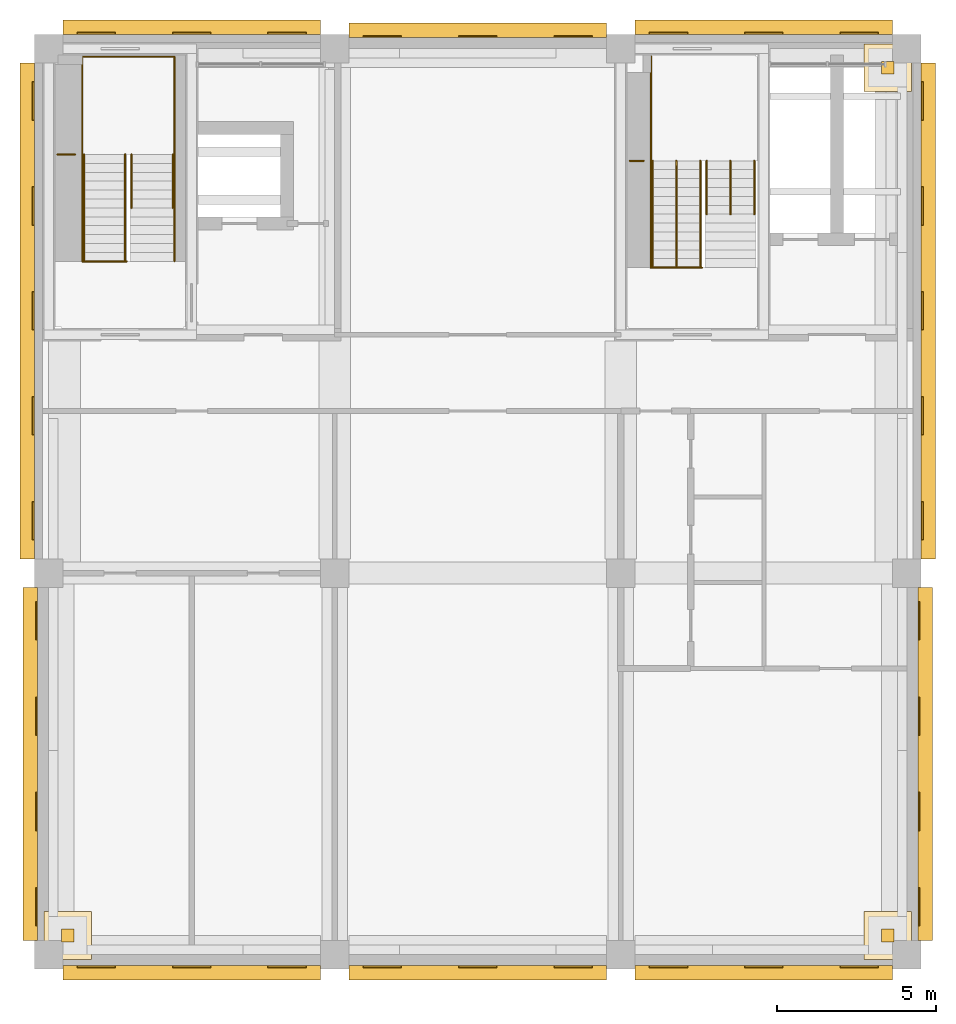
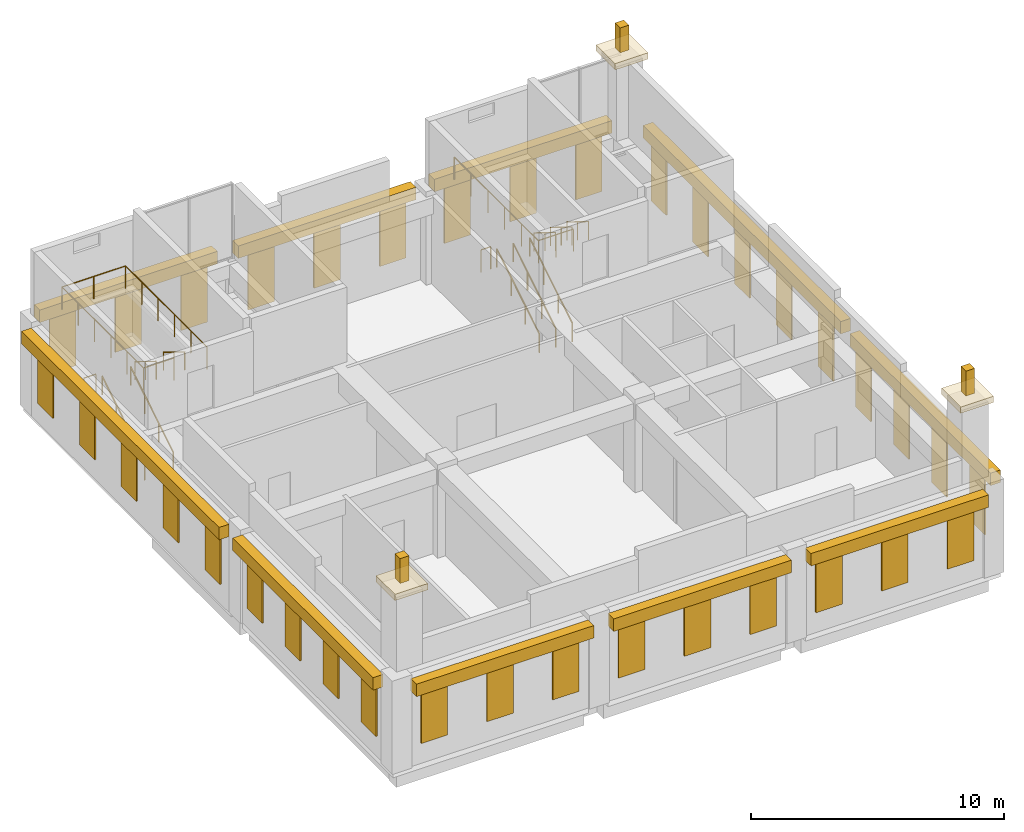
# One storey, part 6 of 6: 52 coverings, 16 railings.
"""IFC4 building model written with IfcOpenShell, lengths in metres."""

from ifc_helpers import new_model, si_unit, direction, frame, origin, origin_2d, place, context, subcontext, project, spatial, rectangle, circle, extrude, material, layer, layer_set, type_object, element, save


model = new_model("IFC4")

# Units and contexts
model_context = context("Model", 3, precision=1e-05, world=origin(), true_north=direction((0.0, 1.0)))
body_context = subcontext(model_context, "Body", "Model", "MODEL_VIEW")
ifc_project = project(units=[si_unit("LENGTHUNIT", "METRE"), si_unit("AREAUNIT", "SQUARE_METRE"), si_unit("VOLUMEUNIT", "CUBIC_METRE"), si_unit("PLANEANGLEUNIT", "RADIAN"), si_unit("MASSUNIT", "GRAM", prefix="KILO")], contexts=[model_context])

# Site, building, storey
site_placement = place(None, origin())
site = spatial("IfcSite", under=ifc_project, at=site_placement, CompositionType="ELEMENT")
building_placement = place(site_placement, origin())
building = spatial("IfcBuilding", under=site, at=building_placement, Name="Aurelan Courthouse", CompositionType="ELEMENT")
storey_placement = place(building_placement, frame((0.0, 0.0, 57.89990234375)))
storey = spatial("IfcBuildingStorey", under=building, at=storey_placement, Name="L11", CompositionType="ELEMENT", Elevation=57.89990234375)

# Coverings
ifc_material_1 = material(Name="Bronze sheet cladding")
ifc_layer = layer(ifc_material_1, 0.06005859375)
ifc_layer_set = layer_set([ifc_layer], Name="Bronze sheet cladding")
covering_type_1 = type_object("IfcCoveringType", Name="Courts' Floors blind bay 1200 x 2650", PredefinedType="CLADDING", material=ifc_layer_set)
for number, where, z_axis, x_axis, name in (
    (1, (1.5, -0.3798828125, 1.000244140625), (0.0, 0.0, 1.0), (1.0, 0.0, 0.0), "Blind bay BB-V5-L11-001"),
    (2, (4.5, -0.3798828125, 1.000244140625), (0.0, 0.0, 1.0), (1.0, 0.0, 0.0), "Blind bay BB-V5-L11-002"),
    (3, (7.5, -0.3798828125, 1.000244140625), (0.0, 0.0, 1.0), (1.0, 0.0, 0.0), "Blind bay BB-V5-L11-003"),
    (4, (10.5, -0.3798828125, 1.000244140625), (0.0, 0.0, 1.0), (1.0, 0.0, 0.0), "Blind bay BB-V5-L11-004"),
    (5, (13.5, -0.3798828125, 1.000244140625), (0.0, 0.0, 1.0), (1.0, 0.0, 0.0), "Blind bay BB-V5-L11-005"),
    (6, (16.5, -0.3798828125, 1.000244140625), (0.0, 0.0, 1.0), (1.0, 0.0, 0.0), "Blind bay BB-V5-L11-006"),
    (7, (19.5, -0.3798828125, 1.000244140625), (0.0, 0.0, 1.0), (1.0, 0.0, 0.0), "Blind bay BB-V5-L11-007"),
    (8, (22.5, -0.3798828125, 1.000244140625), (0.0, 0.0, 1.0), (1.0, 0.0, 0.0), "Blind bay BB-V5-L11-008"),
    (9, (25.5, -0.3798828125, 1.000244140625), (0.0, 0.0, 1.0), (1.0, 0.0, 0.0), "Blind bay BB-V5-L11-009"),
    (10, (1.5, 28.97998046875, 1.000244140625), (0.0, 0.0, 1.0), (1.0, 0.0, 0.0), "Blind bay BB-V5-L11-010"),
    (11, (4.5, 28.97998046875, 1.000244140625), (0.0, 0.0, 1.0), (1.0, 0.0, 0.0), "Blind bay BB-V5-L11-011"),
    (12, (7.5, 28.97998046875, 1.000244140625), (0.0, 0.0, 1.0), (1.0, 0.0, 0.0), "Blind bay BB-V5-L11-012"),
    (13, (10.5, 28.8798828125, 1.000244140625), (0.0, 0.0, 1.0), (1.0, 0.0, 0.0), "Blind bay BB-V5-L11-013"),
    (14, (13.5, 28.8798828125, 1.000244140625), (0.0, 0.0, 1.0), (1.0, 0.0, 0.0), "Blind bay BB-V5-L11-014"),
    (15, (16.5, 28.8798828125, 1.000244140625), (0.0, 0.0, 1.0), (1.0, 0.0, 0.0), "Blind bay BB-V5-L11-015"),
    (16, (19.5, 28.97998046875, 1.000244140625), (0.0, 0.0, 1.0), (1.0, 0.0, 0.0), "Blind bay BB-V5-L11-016"),
    (17, (22.5, 28.97998046875, 1.000244140625), (0.0, 0.0, 1.0), (1.0, 0.0, 0.0), "Blind bay BB-V5-L11-017"),
    (18, (25.5, 28.97998046875, 1.000244140625), (0.0, 0.0, 1.0), (1.0, 0.0, 0.0), "Blind bay BB-V5-L11-018"),
):
    element("IfcCovering", number, at=place(storey_placement, frame(where, z_axis=z_axis, x_axis=x_axis)), inside=storey, type_object=covering_type_1, Name=name, PredefinedType="CLADDING", context=body_context, shape_type="SweptSolid", body=[
        extrude(rectangle(XDim=1.199951171875, YDim=0.06005859375, at=origin_2d()), origin(), (0.0, 0.0, 1.0), 2.64990234375),
    ])
for number, where, z_axis, x_axis, name in (
    (19, (27.3798828125, 1.5, 1.000244140625), (0.0, 0.0, 1.0), (1.0, 0.0, 0.0), "Blind bay BB-V5-L11-019"),
    (20, (27.3798828125, 4.5, 1.000244140625), (0.0, 0.0, 1.0), (1.0, 0.0, 0.0), "Blind bay BB-V5-L11-020"),
    (21, (27.3798828125, 7.5, 1.000244140625), (0.0, 0.0, 1.0), (1.0, 0.0, 0.0), "Blind bay BB-V5-L11-021"),
    (22, (27.3798828125, 10.5, 1.000244140625), (0.0, 0.0, 1.0), (1.0, 0.0, 0.0), "Blind bay BB-V5-L11-022"),
    (23, (27.47998046875, 13.64990234375, 1.000244140625), (0.0, 0.0, 1.0), (1.0, 0.0, 0.0), "Blind bay BB-V5-L11-023"),
    (24, (27.47998046875, 16.949951171875, 1.000244140625), (0.0, 0.0, 1.0), (1.0, 0.0, 0.0), "Blind bay BB-V5-L11-024"),
    (25, (27.47998046875, 20.25, 1.000244140625), (0.0, 0.0, 1.0), (1.0, 0.0, 0.0), "Blind bay BB-V5-L11-025"),
    (26, (27.47998046875, 23.550048828125, 1.000244140625), (0.0, 0.0, 1.0), (1.0, 0.0, 0.0), "Blind bay BB-V5-L11-026"),
    (27, (27.47998046875, 26.85009765625, 1.000244140625), (0.0, 0.0, 1.0), (1.0, 0.0, 0.0), "Blind bay BB-V5-L11-027"),
    (28, (-0.3798828125, 1.5, 1.000244140625), (0.0, 0.0, 1.0), (1.0, 0.0, 0.0), "Blind bay BB-V5-L11-028"),
    (29, (-0.3798828125, 4.5, 1.000244140625), (0.0, 0.0, 1.0), (1.0, 0.0, 0.0), "Blind bay BB-V5-L11-029"),
    (30, (-0.3798828125, 7.5, 1.000244140625), (0.0, 0.0, 1.0), (1.0, 0.0, 0.0), "Blind bay BB-V5-L11-030"),
    (31, (-0.3798828125, 10.5, 1.000244140625), (0.0, 0.0, 1.0), (1.0, 0.0, 0.0), "Blind bay BB-V5-L11-031"),
    (32, (-0.47998046875, 13.64990234375, 1.000244140625), (0.0, 0.0, 1.0), (1.0, 0.0, 0.0), "Blind bay BB-V5-L11-032"),
    (33, (-0.47998046875, 16.949951171875, 1.000244140625), (0.0, 0.0, 1.0), (1.0, 0.0, 0.0), "Blind bay BB-V5-L11-033"),
    (34, (-0.47998046875, 20.25, 1.000244140625), (0.0, 0.0, 1.0), (1.0, 0.0, 0.0), "Blind bay BB-V5-L11-034"),
    (35, (-0.47998046875, 23.550048828125, 1.000244140625), (0.0, 0.0, 1.0), (1.0, 0.0, 0.0), "Blind bay BB-V5-L11-035"),
    (36, (-0.47998046875, 26.85009765625, 1.000244140625), (0.0, 0.0, 1.0), (1.0, 0.0, 0.0), "Blind bay BB-V5-L11-036"),
):
    element("IfcCovering", number, at=place(storey_placement, frame(where, z_axis=z_axis, x_axis=x_axis)), inside=storey, type_object=covering_type_1, Name=name, PredefinedType="CLADDING", context=body_context, shape_type="SweptSolid", body=[
        extrude(rectangle(XDim=0.06005859375, YDim=1.199951171875, at=origin_2d()), origin(), (0.0, 0.0, 1.0), 2.64990234375),
    ])
ifc_material_2 = material(Name="Limestone cladding", Category="masonry")
covering_type_2 = type_object("IfcCoveringType", Name="Courts' Floors cornice 600 x 450", PredefinedType="CLADDING", material=ifc_material_2)
for number, where, z_axis, x_axis, name in (
    (37, (4.5, -0.574951171875, 3.650146484375), (0.0, 0.0, 1.0), (1.0, 0.0, 0.0), "Cornice CRN-V5-001"),
    (38, (13.5, -0.574951171875, 3.650146484375), (0.0, 0.0, 1.0), (1.0, 0.0, 0.0), "Cornice CRN-V5-002"),
    (39, (22.5, -0.574951171875, 3.650146484375), (0.0, 0.0, 1.0), (1.0, 0.0, 0.0), "Cornice CRN-V5-003"),
):
    element("IfcCovering", number, at=place(storey_placement, frame(where, z_axis=z_axis, x_axis=x_axis)), inside=storey, type_object=covering_type_2, Name=name, PredefinedType="CLADDING", context=body_context, shape_type="SweptSolid", body=[
        extrude(rectangle(XDim=8.10009765625, YDim=0.449951171875, at=origin_2d()), origin(), (0.0, 0.0, 1.0), 0.60009765625),
    ])
for number, where, z_axis, x_axis, name in (
    (40, (-0.574951171875, 6.0, 3.650146484375), (0.0, 0.0, 1.0), (1.0, 0.0, 0.0), "Cornice CRN-V5-004"),
    (41, (27.574951171875, 6.0, 3.650146484375), (0.0, 0.0, 1.0), (1.0, 0.0, 0.0), "Cornice CRN-V5-005"),
):
    element("IfcCovering", number, at=place(storey_placement, frame(where, z_axis=z_axis, x_axis=x_axis)), inside=storey, type_object=covering_type_2, Name=name, PredefinedType="CLADDING", context=body_context, shape_type="SweptSolid", body=[
        extrude(rectangle(XDim=0.449951171875, YDim=11.10009765625, at=origin_2d()), origin(), (0.0, 0.0, 1.0), 0.60009765625),
    ])
for number, where, z_axis, x_axis, name in (
    (42, (-0.675048828125, 20.25, 3.650146484375), (0.0, 0.0, 1.0), (1.0, 0.0, 0.0), "Cornice CRN-V5-006"),
    (43, (27.675048828125, 20.25, 3.650146484375), (0.0, 0.0, 1.0), (1.0, 0.0, 0.0), "Cornice CRN-V5-007"),
):
    element("IfcCovering", number, at=place(storey_placement, frame(where, z_axis=z_axis, x_axis=x_axis)), inside=storey, type_object=covering_type_2, Name=name, PredefinedType="CLADDING", context=body_context, shape_type="SweptSolid", body=[
        extrude(rectangle(XDim=0.449951171875, YDim=15.60009765625, at=origin_2d()), origin(), (0.0, 0.0, 1.0), 0.60009765625),
    ])
for number, where, z_axis, x_axis, name in (
    (44, (13.5, 29.074951171875, 3.650146484375), (0.0, 0.0, 1.0), (1.0, 0.0, 0.0), "Cornice CRN-V5-008"),
    (45, (4.5, 29.175048828125, 3.650146484375), (0.0, 0.0, 1.0), (1.0, 0.0, 0.0), "Cornice CRN-V5-009"),
    (46, (22.5, 29.175048828125, 3.650146484375), (0.0, 0.0, 1.0), (1.0, 0.0, 0.0), "Cornice CRN-V5-010"),
):
    element("IfcCovering", number, at=place(storey_placement, frame(where, z_axis=z_axis, x_axis=x_axis)), inside=storey, type_object=covering_type_2, Name=name, PredefinedType="CLADDING", context=body_context, shape_type="SweptSolid", body=[
        extrude(rectangle(XDim=8.10009765625, YDim=0.449951171875, at=origin_2d()), origin(), (0.0, 0.0, 1.0), 0.60009765625),
    ])
ifc_material_3 = material(Name="Granite cladding", Category="masonry")
covering_type_3 = type_object("IfcCoveringType", Name="Crown cap 1500 x 300", PredefinedType="CLADDING", material=ifc_material_3)
for number, where, z_axis, x_axis, name in (
    (47, (0.60009765625, 0.60009765625, 8.10009765625), (0.0, 0.0, 1.0), (1.0, 0.0, 0.0), "Crown cap CR5-CAP-SW"),
    (48, (26.39990234375, 0.60009765625, 8.10009765625), (0.0, 0.0, 1.0), (1.0, 0.0, 0.0), "Crown cap CR5-CAP-SE"),
    (49, (26.39990234375, 27.89990234375, 8.10009765625), (0.0, 0.0, 1.0), (1.0, 0.0, 0.0), "Crown cap CR5-CAP-NE"),
):
    element("IfcCovering", number, at=place(storey_placement, frame(where, z_axis=z_axis, x_axis=x_axis)), inside=storey, type_object=covering_type_3, Name=name, PredefinedType="CLADDING", context=body_context, shape_type="SweptSolid", body=[
        extrude(rectangle(XDim=1.5, YDim=1.5, at=origin_2d()), origin(), (0.0, 0.0, 1.0), 0.300048828125),
    ])
ifc_material_4 = material(Name="Bronze-finished aluminium", Category="aluminium")
covering_type_4 = type_object("IfcCoveringType", Name="Crown finial 400 x 1200", PredefinedType="CLADDING", material=ifc_material_4)
for number, where, z_axis, x_axis, name in (
    (50, (0.60009765625, 0.60009765625, 8.39990234375), (0.0, 0.0, 1.0), (1.0, 0.0, 0.0), "Crown finial CR5-FIN-SW"),
    (51, (26.39990234375, 0.60009765625, 8.39990234375), (0.0, 0.0, 1.0), (1.0, 0.0, 0.0), "Crown finial CR5-FIN-SE"),
    (52, (26.39990234375, 27.89990234375, 8.39990234375), (0.0, 0.0, 1.0), (1.0, 0.0, 0.0), "Crown finial CR5-FIN-NE"),
):
    element("IfcCovering", number, at=place(storey_placement, frame(where, z_axis=z_axis, x_axis=x_axis)), inside=storey, type_object=covering_type_4, Name=name, PredefinedType="CLADDING", context=body_context, shape_type="SweptSolid", body=[
        extrude(rectangle(XDim=0.39990234375, YDim=0.39990234375, at=origin_2d()), origin(), (0.0, 0.0, 1.0), 1.199951171875),
    ])

# Railings
ifc_material_5 = material(Name="Steel S355", Category="steel")
railing_type_1 = type_object("IfcRailingType", Name="Stair guard 1100", PredefinedType="GUARDRAIL", material=ifc_material_5)
railing_1_placement = place(storey_placement, frame((18.719970703125, 24.969970703125, 2.25)))
element("IfcRailing", 53, at=railing_1_placement, inside=storey, type_object=railing_type_1, Name="Guard ST-5A-L11-GL1", PredefinedType="GUARDRAIL", context=body_context, shape_type="SweptSolid", body=[
    extrude(circle(Radius=0.02392578125, at=origin_2d()), frame((0.0, 0.0, 1.076171875), z_axis=(-1.0, 0.0, 0.0), x_axis=(0.0, -1.0, 0.0)), (0.0, 0.0, 1.0), 0.43994140625),
    extrude(circle(Radius=0.02099609375, at=origin_2d()), origin(), (0.0, 0.0, 1.0), 1.052001953125),
    extrude(circle(Radius=0.02099609375, at=origin_2d()), frame((-0.43994140625, 0.0, 0.0)), (0.0, 0.0, 1.0), 1.052001953125),
])
railing_2_placement = place(storey_placement, frame((20.550048828125, 21.610107421875, 4.5)))
element("IfcRailing", 54, at=railing_2_placement, inside=storey, type_object=railing_type_1, Name="Guard ST-5A-L11-G1", PredefinedType="GUARDRAIL", context=body_context, shape_type="SweptSolid", body=[
    extrude(circle(Radius=0.02392578125, at=origin_2d()), frame((0.0, 0.0, 1.076171875), z_axis=(-1.0, 0.0, 0.0), x_axis=(0.0, -1.0, 0.0)), (0.0, 0.0, 1.0), 1.60009765625),
    extrude(circle(Radius=0.02099609375, at=origin_2d()), origin(), (0.0, 0.0, 1.0), 1.052001953125),
    extrude(circle(Radius=0.02099609375, at=origin_2d()), frame((-0.800048828125, 0.0, 0.0)), (0.0, 0.0, 1.0), 1.052001953125),
    extrude(circle(Radius=0.02099609375, at=origin_2d()), frame((-1.60009765625, 0.0, 0.0)), (0.0, 0.0, 1.0), 1.052001953125),
])
railing_3_placement = place(storey_placement, frame((18.949951171875, 21.610107421875, 4.5)))
element("IfcRailing", 55, at=railing_3_placement, inside=storey, type_object=railing_type_1, Name="Guard ST-5A-L11-G2", PredefinedType="GUARDRAIL", context=body_context, shape_type="SweptSolid", body=[
    extrude(circle(Radius=0.02392578125, at=origin_2d()), frame((0.0, 0.0, 1.076171875), z_axis=(0.0, 1.0, 0.0), x_axis=(-1.0, 0.0, 0.0)), (0.0, 0.0, 1.0), 6.639892578125),
    extrude(circle(Radius=0.02099609375, at=origin_2d()), origin(), (0.0, 0.0, 1.0), 1.052001953125),
    extrude(circle(Radius=0.02099609375, at=origin_2d()), frame((0.0, 1.327880859375, 0.0)), (0.0, 0.0, 1.0), 1.052001953125),
    extrude(circle(Radius=0.02099609375, at=origin_2d()), frame((0.0, 2.656005859375, 0.0)), (0.0, 0.0, 1.0), 1.052001953125),
    extrude(circle(Radius=0.02099609375, at=origin_2d()), frame((0.0, 3.98388671875, 0.0)), (0.0, 0.0, 1.0), 1.052001953125),
    extrude(circle(Radius=0.02099609375, at=origin_2d()), frame((0.0, 5.31201171875, 0.0)), (0.0, 0.0, 1.0), 1.052001953125),
    extrude(circle(Radius=0.02099609375, at=origin_2d()), frame((0.0, 6.639892578125, 0.0)), (0.0, 0.0, 1.0), 1.052001953125),
])
railing_4_placement = place(storey_placement, frame((0.830078125, 25.169921875, 2.25)))
element("IfcRailing", 56, at=railing_4_placement, inside=storey, type_object=railing_type_1, Name="Guard ST-5B-L11-GL1", PredefinedType="GUARDRAIL", context=body_context, shape_type="SweptSolid", body=[
    extrude(circle(Radius=0.02392578125, at=origin_2d()), frame((0.0, 0.0, 1.076171875), z_axis=(-1.0, 0.0, 0.0), x_axis=(0.0, -1.0, 0.0)), (0.0, 0.0, 1.0), 0.550048828125),
    extrude(circle(Radius=0.02099609375, at=origin_2d()), origin(), (0.0, 0.0, 1.0), 1.052001953125),
    extrude(circle(Radius=0.02099609375, at=origin_2d()), frame((-0.550048828125, 0.0, 0.0)), (0.0, 0.0, 1.0), 1.052001953125),
])
railing_5_placement = place(storey_placement, frame((2.4599609375, 21.81005859375, 4.5)))
element("IfcRailing", 57, at=railing_5_placement, inside=storey, type_object=railing_type_1, Name="Guard ST-5B-L11-G1", PredefinedType="GUARDRAIL", context=body_context, shape_type="SweptSolid", body=[
    extrude(circle(Radius=0.02392578125, at=origin_2d()), frame((0.0, 0.0, 1.076171875), z_axis=(-1.0, 0.0, 0.0), x_axis=(0.0, -1.0, 0.0)), (0.0, 0.0, 1.0), 1.39990234375),
    extrude(circle(Radius=0.02099609375, at=origin_2d()), origin(), (0.0, 0.0, 1.0), 1.052001953125),
    extrude(circle(Radius=0.02099609375, at=origin_2d()), frame((-1.39990234375, 0.0, 0.0)), (0.0, 0.0, 1.0), 1.052001953125),
])
railing_6_placement = place(storey_placement, frame((1.06005859375, 21.81005859375, 4.5)))
element("IfcRailing", 58, at=railing_6_placement, inside=storey, type_object=railing_type_1, Name="Guard ST-5B-L11-G2", PredefinedType="GUARDRAIL", context=body_context, shape_type="SweptSolid", body=[
    extrude(circle(Radius=0.02392578125, at=origin_2d()), frame((0.0, 0.0, 1.076171875), z_axis=(0.0, 1.0, 0.0), x_axis=(-1.0, 0.0, 0.0)), (0.0, 0.0, 1.0), 6.43994140625),
    extrude(circle(Radius=0.02392578125, at=origin_2d()), frame((0.0, 6.43994140625, 1.076171875), z_axis=(1.0, 0.0, 0.0), x_axis=(0.0, 1.0, 0.0)), (0.0, 0.0, 1.0), 2.89990234375),
    extrude(circle(Radius=0.02392578125, at=origin_2d()), frame((2.89990234375, 6.43994140625, 1.076171875), z_axis=(0.0, -1.0, 0.0), x_axis=(1.0, 0.0, 0.0)), (0.0, 0.0, 1.0), 6.43994140625),
    extrude(circle(Radius=0.02099609375, at=origin_2d()), origin(), (0.0, 0.0, 1.0), 1.052001953125),
    extrude(circle(Radius=0.02099609375, at=origin_2d()), frame((0.0, 1.2880859375, 0.0)), (0.0, 0.0, 1.0), 1.052001953125),
    extrude(circle(Radius=0.02099609375, at=origin_2d()), frame((0.0, 2.575927734375, 0.0)), (0.0, 0.0, 1.0), 1.052001953125),
    extrude(circle(Radius=0.02099609375, at=origin_2d()), frame((0.0, 3.864013671875, 0.0)), (0.0, 0.0, 1.0), 1.052001953125),
    extrude(circle(Radius=0.02099609375, at=origin_2d()), frame((0.0, 5.15185546875, 0.0)), (0.0, 0.0, 1.0), 1.052001953125),
    extrude(circle(Radius=0.02099609375, at=origin_2d()), frame((0.0, 6.43994140625, 0.0)), (0.0, 0.0, 1.0), 1.052001953125),
    extrude(circle(Radius=0.02099609375, at=origin_2d()), frame((1.449951171875, 6.43994140625, 0.0)), (0.0, 0.0, 1.0), 1.052001953125),
    extrude(circle(Radius=0.02099609375, at=origin_2d()), frame((2.89990234375, 6.43994140625, 0.0)), (0.0, 0.0, 1.0), 1.052001953125),
    extrude(circle(Radius=0.02099609375, at=origin_2d()), frame((2.89990234375, 5.15185546875, 0.0)), (0.0, 0.0, 1.0), 1.052001953125),
    extrude(circle(Radius=0.02099609375, at=origin_2d()), frame((2.89990234375, 3.864013671875, 0.0)), (0.0, 0.0, 1.0), 1.052001953125),
    extrude(circle(Radius=0.02099609375, at=origin_2d()), frame((2.89990234375, 2.575927734375, 0.0)), (0.0, 0.0, 1.0), 1.052001953125),
    extrude(circle(Radius=0.02099609375, at=origin_2d()), frame((2.89990234375, 1.2880859375, 0.0)), (0.0, 0.0, 1.0), 1.052001953125),
    extrude(circle(Radius=0.02099609375, at=origin_2d()), frame((2.89990234375, 0.0, 0.0)), (0.0, 0.0, 1.0), 1.052001953125),
])
railing_type_2 = type_object("IfcRailingType", Name="Stair handrail 900", PredefinedType="HANDRAIL", material=ifc_material_5)
for number, where, name in (
    (59, (19.0, 21.610107421875, 0.173095703125), "Handrail ST-5A-L11-H1"),
    (60, (20.5, 21.610107421875, 0.173095703125), "Handrail ST-5A-L11-H2"),
    (61, (19.75, 21.610107421875, 0.173095703125), "Handrail ST-5A-L11-H3"),
):
    element("IfcRailing", number, at=place(storey_placement, frame(where)), inside=storey, type_object=railing_type_2, Name=name, PredefinedType="HANDRAIL", context=body_context, shape_type="SweptSolid", body=[
        extrude(circle(Radius=0.02392578125, at=origin_2d()), frame((0.0, 0.0, 0.8759765625), z_axis=(0.0, 0.850606129759, 0.525803396734), x_axis=(-1.0, 0.0, 0.0)), (0.0, 0.0, 1.0), 3.949951171875),
        extrude(circle(Radius=0.02099609375, at=origin_2d()), origin(), (0.0, 0.0, 1.0), 0.851806640625),
        extrude(circle(Radius=0.02099609375, at=origin_2d()), frame((0.0, 1.119873046875, 0.6923828125)), (0.0, 0.0, 1.0), 0.851806640625),
        extrude(circle(Radius=0.02099609375, at=origin_2d()), frame((0.0, 2.239990234375, 1.384521484375)), (0.0, 0.0, 1.0), 0.851806640625),
        extrude(circle(Radius=0.02099609375, at=origin_2d()), frame((0.0, 3.35986328125, 2.076904296875)), (0.0, 0.0, 1.0), 0.851806640625),
    ])
for number, where, name in (
    (62, (20.699951171875, 24.969970703125, 2.423095703125), "Handrail ST-5A-L11-H4"),
    (63, (22.199951171875, 24.969970703125, 2.423095703125), "Handrail ST-5A-L11-H5"),
    (64, (21.449951171875, 24.969970703125, 2.423095703125), "Handrail ST-5A-L11-H6"),
):
    element("IfcRailing", number, at=place(storey_placement, frame(where)), inside=storey, type_object=railing_type_2, Name=name, PredefinedType="HANDRAIL", context=body_context, shape_type="SweptSolid", body=[
        extrude(circle(Radius=0.02392578125, at=origin_2d()), frame((0.0, 0.0, 0.8759765625), z_axis=(0.0, -0.850578485611, 0.525848114778), x_axis=(1.0, 0.0, 0.0)), (0.0, 0.0, 1.0), 1.97509765625),
        extrude(circle(Radius=0.02099609375, at=origin_2d()), origin(), (0.0, 0.0, 1.0), 0.851806640625),
        extrude(circle(Radius=0.02099609375, at=origin_2d()), frame((0.0, -0.83984375, 0.519287109375)), (0.0, 0.0, 1.0), 0.851806640625),
        extrude(circle(Radius=0.02099609375, at=origin_2d()), frame((0.0, -1.679931640625, 1.03857421875)), (0.0, 0.0, 1.0), 0.851806640625),
    ])
for number, where, name in (
    (65, (1.110107421875, 21.81005859375, 0.173095703125), "Handrail ST-5B-L11-H1"),
    (66, (2.409912109375, 21.81005859375, 0.173095703125), "Handrail ST-5B-L11-H2"),
):
    element("IfcRailing", number, at=place(storey_placement, frame(where)), inside=storey, type_object=railing_type_2, Name=name, PredefinedType="HANDRAIL", context=body_context, shape_type="SweptSolid", body=[
        extrude(circle(Radius=0.02392578125, at=origin_2d()), frame((0.0, 0.0, 0.8759765625), z_axis=(0.0, 0.850606129759, 0.525803396734), x_axis=(-1.0, 0.0, 0.0)), (0.0, 0.0, 1.0), 3.949951171875),
        extrude(circle(Radius=0.02099609375, at=origin_2d()), origin(), (0.0, 0.0, 1.0), 0.851806640625),
        extrude(circle(Radius=0.02099609375, at=origin_2d()), frame((0.0, 1.119873046875, 0.6923828125)), (0.0, 0.0, 1.0), 0.851806640625),
        extrude(circle(Radius=0.02099609375, at=origin_2d()), frame((0.0, 2.239990234375, 1.384521484375)), (0.0, 0.0, 1.0), 0.851806640625),
        extrude(circle(Radius=0.02099609375, at=origin_2d()), frame((0.0, 3.35986328125, 2.076904296875)), (0.0, 0.0, 1.0), 0.851806640625),
    ])
for number, where, name in (
    (67, (2.610107421875, 25.169921875, 2.423095703125), "Handrail ST-5B-L11-H3"),
    (68, (3.909912109375, 25.169921875, 2.423095703125), "Handrail ST-5B-L11-H4"),
):
    element("IfcRailing", number, at=place(storey_placement, frame(where)), inside=storey, type_object=railing_type_2, Name=name, PredefinedType="HANDRAIL", context=body_context, shape_type="SweptSolid", body=[
        extrude(circle(Radius=0.02392578125, at=origin_2d()), frame((0.0, 0.0, 0.8759765625), z_axis=(0.0, -0.850578485611, 0.525848114778), x_axis=(1.0, 0.0, 0.0)), (0.0, 0.0, 1.0), 1.97509765625),
        extrude(circle(Radius=0.02099609375, at=origin_2d()), origin(), (0.0, 0.0, 1.0), 0.851806640625),
        extrude(circle(Radius=0.02099609375, at=origin_2d()), frame((0.0, -0.83984375, 0.519287109375)), (0.0, 0.0, 1.0), 0.851806640625),
        extrude(circle(Radius=0.02099609375, at=origin_2d()), frame((0.0, -1.679931640625, 1.03857421875)), (0.0, 0.0, 1.0), 0.851806640625),
    ])

save(model, "model.ifc")
